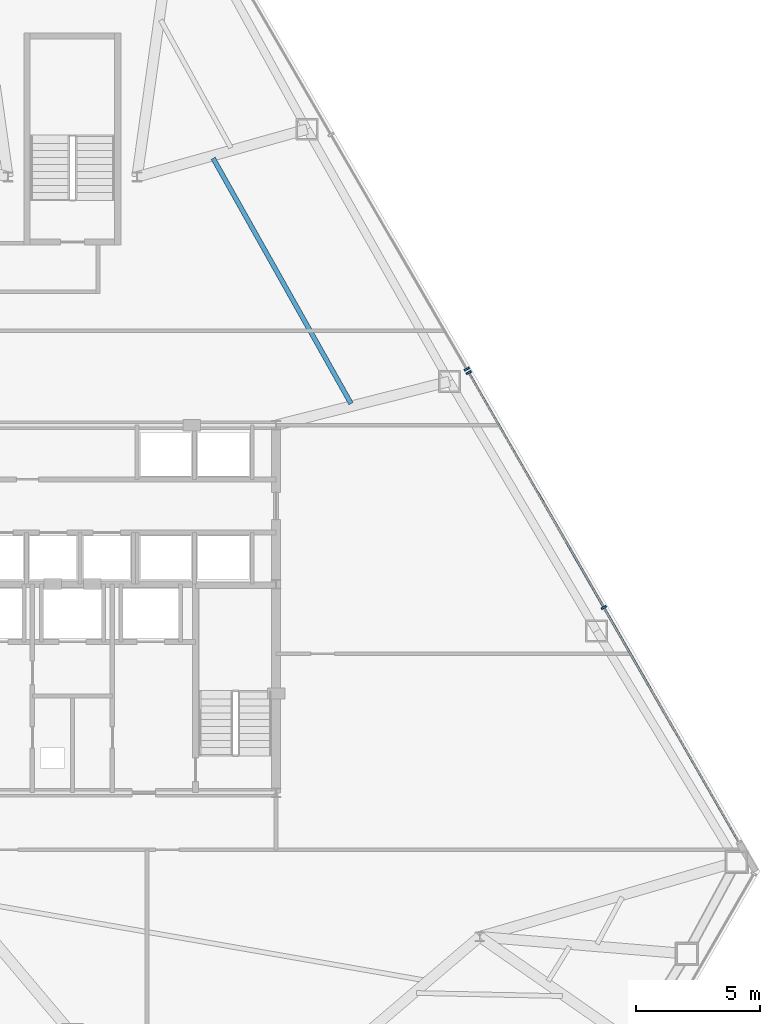
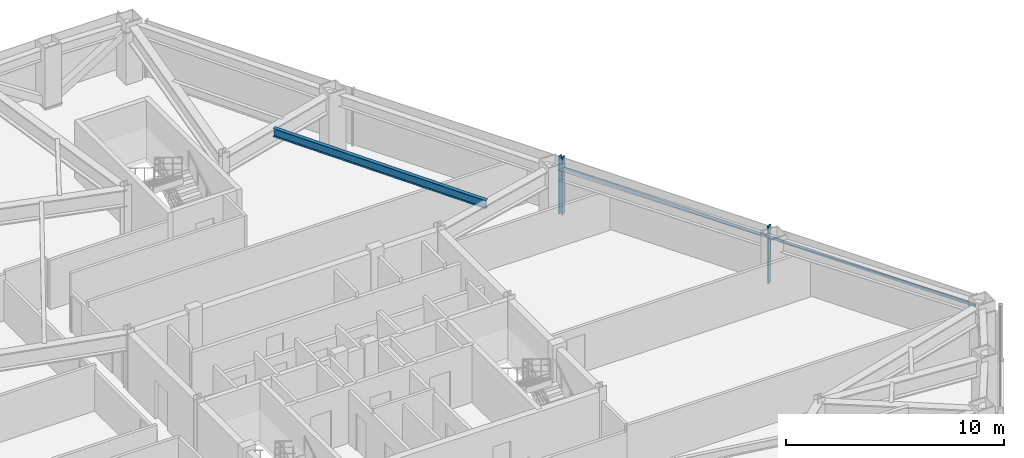
# One storey, part 7 of 13: 4 members, 1 beam, 2 elements without a shape of their own.
"""IFC4 building model written with IfcOpenShell, lengths in metres."""

from ifc_helpers import new_model, si_unit, direction, frame, origin, origin_2d, place, context, subcontext, project, spatial, rectangle, i_section, extrude, source, transform, mapped, material, layer, layer_set, material_profile, profile_set, type_object, type_shapes, element, aggregate, save


model = new_model("IFC4")

# Units and contexts
model_context = context("Model", 3, precision=1e-05, world=origin(), true_north=direction((0.0, 1.0)))
body_context = subcontext(model_context, "Body", "Model", "MODEL_VIEW")
ifc_project = project(units=[si_unit("LENGTHUNIT", "METRE"), si_unit("AREAUNIT", "SQUARE_METRE"), si_unit("VOLUMEUNIT", "CUBIC_METRE"), si_unit("PLANEANGLEUNIT", "RADIAN"), si_unit("MASSUNIT", "GRAM", prefix="KILO")], contexts=[model_context])

# Site, building, storey
site_placement = place(None, origin())
site = spatial("IfcSite", under=ifc_project, at=site_placement, CompositionType="ELEMENT")
building_placement = place(site_placement, origin())
building = spatial("IfcBuilding", under=site, at=building_placement, Name="Varakhsha Concourse Tower", CompositionType="ELEMENT")
storey_placement = place(building_placement, frame((0.0, 0.0, 122.89990234375)))
storey = spatial("IfcBuildingStorey", under=building, at=storey_placement, Name="L35", CompositionType="ELEMENT", Elevation=122.89990234375)

# Beam
ifc_material_1 = material(Name="Structural Steel ASTM A992 Grade 50", Category="steel")
ifc_material_profile_1 = material_profile(ifc_material_1, i_section(OverallWidth=0.19091796875, OverallDepth=0.45703125, WebThickness=0.009033203125, FlangeThickness=0.013916015625, at=origin_2d()), Name="W18X50")
ifc_profile_set_1 = profile_set([ifc_material_profile_1], Name="Structural Steel ASTM A992 Grade 50")
beam_type = type_object("IfcBeamType", Name="BM-JST-W18X50", PredefinedType="JOIST", material=ifc_profile_set_1)
beam_placement = place(storey_placement, frame((51.21728515625, 32.072265625, 2.981689453125), z_axis=(-0.489958387132, 0.871745822404, 0.0), x_axis=(-0.871745822404, -0.489958387132, 0.0)))
element("IfcBeam", 1, at=beam_placement, inside=storey, type_object=beam_type, Name="BM-TJST-L35-17", PredefinedType="JOIST", context=body_context, shape_type="SweptSolid", body=[
    extrude(i_section(OverallWidth=0.19091796875, OverallDepth=0.45703125, WebThickness=0.009033203125, FlangeThickness=0.013916015625, at=origin_2d()), origin(), (0.0, 0.0, 1.0), 11.330078125),
])

# Curtain wall, members
ifc_material_2 = material(Name="Anodised Bronze Architectural Aluminium AA 6063-T6", Category="aluminium")
ifc_layer = layer(ifc_material_2, 0.2099609375, Name="CW-SYS-04")
ifc_layer_set = layer_set([ifc_layer], Name="Anodised Bronze Architectural Aluminium AA 6063-T6")
curtain_wall_type = type_object("IfcCurtainWallType", Name="CW-SYS-04", PredefinedType="NOTDEFINED", material=ifc_layer_set)
curtain_wall_1_placement = place(storey_placement, origin())
curtain_wall_1 = element("IfcCurtainWall", 2, at=curtain_wall_1_placement, inside=storey, type_object=curtain_wall_type, Name="L35 Crystal Curtain Wall F8", PredefinedType="NOTDEFINED")
ifc_material_profile_2 = material_profile(ifc_material_2, rectangle(XDim=0.06494140625, YDim=0.159912109375, at=origin_2d()), Name="CWT-160X65")
ifc_profile_set_2 = profile_set([ifc_material_profile_2], Name="Anodised Bronze Architectural Aluminium AA 6063-T6")
member_type_1 = type_object("IfcMemberType", Name="CWT-160X65", PredefinedType="USERDEFINED", material=ifc_profile_set_2)
shared_shape_1 = source(origin(), body_context, "Body", "SweptSolid", [
    extrude(rectangle(XDim=0.06494140625, YDim=0.159912109375, at=origin_2d()), origin(), (0.0, 0.0, 1.0), 21.828369140625),
])
type_shapes(member_type_1, [shared_shape_1])
member_1_placement = place(storey_placement, frame((55.9580078125, 33.3212890625, 2.56005859375), z_axis=(0.498482261443, -0.866899899081, 0.0), x_axis=(0.866899899081, 0.498482261443, 0.0)))
member_1 = element("IfcMember", 3, at=member_1_placement, type_object=member_type_1, Name="CW-L35-F8 Transom 01", ObjectType="TRANSOM", PredefinedType="USERDEFINED", context=body_context, shape_type="MappedRepresentation", body=[
    mapped(shared_shape_1, transform((0.0, 0.0, 0.0), scale=1.0)),
])
ifc_material_profile_3 = material_profile(ifc_material_2, rectangle(XDim=0.074951171875, YDim=0.219970703125, at=origin_2d()), Name="CWM-220X75")
ifc_profile_set_3 = profile_set([ifc_material_profile_3], Name="Anodised Bronze Architectural Aluminium AA 6063-T6")
member_type_2 = type_object("IfcMemberType", Name="CWM-220X75", PredefinedType="MULLION", material=ifc_profile_set_3)
shared_shape_2 = source(origin(), body_context, "Body", "SweptSolid", [
    extrude(rectangle(XDim=0.074951171875, YDim=0.219970703125, at=origin_2d()), origin(), (0.0, 0.0, 1.0), 3.210205078125),
])
type_shapes(member_type_2, [shared_shape_2])
member_2_placement = place(storey_placement, frame((55.9580078125, 33.3212890625, 0.0), z_axis=(0.0, 0.0, 1.0), x_axis=(0.498489252773, -0.866895878909, 0.0)))
member_2 = element("IfcMember", 4, at=member_2_placement, type_object=member_type_2, Name="CW-L35-F8 Mullion 00", PredefinedType="MULLION", context=body_context, shape_type="MappedRepresentation", body=[
    mapped(shared_shape_2, transform((0.0, 0.0, 0.0), scale=1.0)),
])
member_3_placement = place(storey_placement, frame((61.398681640625, 23.859619140625, 0.0), z_axis=(0.0, 0.0, 1.0), x_axis=(0.498489252773, -0.866895878909, 0.0)))
member_3 = element("IfcMember", 5, at=member_3_placement, type_object=member_type_2, Name="CW-L35-F8 Mullion 01", PredefinedType="MULLION", context=body_context, shape_type="MappedRepresentation", body=[
    mapped(shared_shape_2, transform((0.0, 0.0, 0.0), scale=1.0)),
])
aggregate(curtain_wall_1, [member_2, member_3, member_1])

# Curtain wall, member
curtain_wall_2_placement = place(storey_placement, origin())
curtain_wall_2 = element("IfcCurtainWall", 6, at=curtain_wall_2_placement, inside=storey, type_object=curtain_wall_type, Name="L35 Crystal Curtain Wall F9", PredefinedType="NOTDEFINED")
member_4_placement = place(storey_placement, frame((55.878173828125, 33.459228515625, 0.0), z_axis=(0.0, 0.0, 1.0), x_axis=(0.501513757105, -0.865149669962, 0.0)))
member_4 = element("IfcMember", 7, at=member_4_placement, type_object=member_type_2, Name="CW-L35-F9 Mullion 02", PredefinedType="MULLION", context=body_context, shape_type="MappedRepresentation", body=[
    mapped(shared_shape_2, transform((0.0, 0.0, 0.0), scale=1.0)),
])
aggregate(curtain_wall_2, [member_4])

save(model, "model.ifc")
